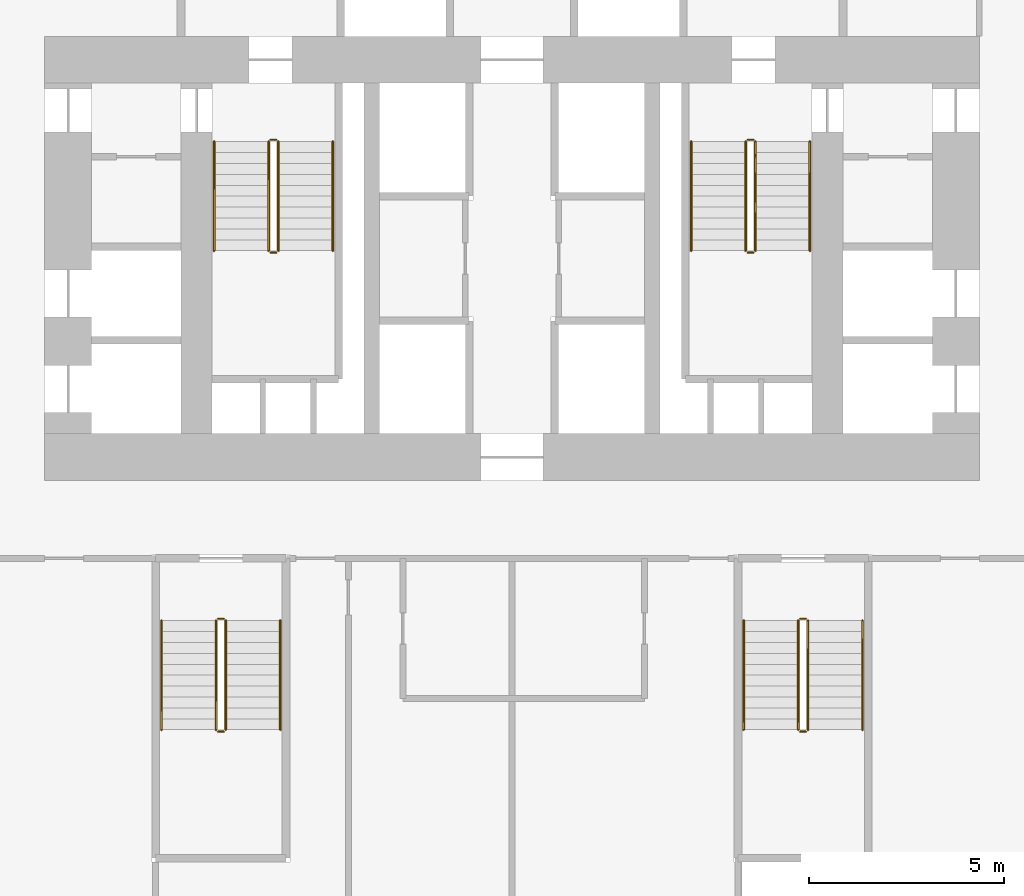
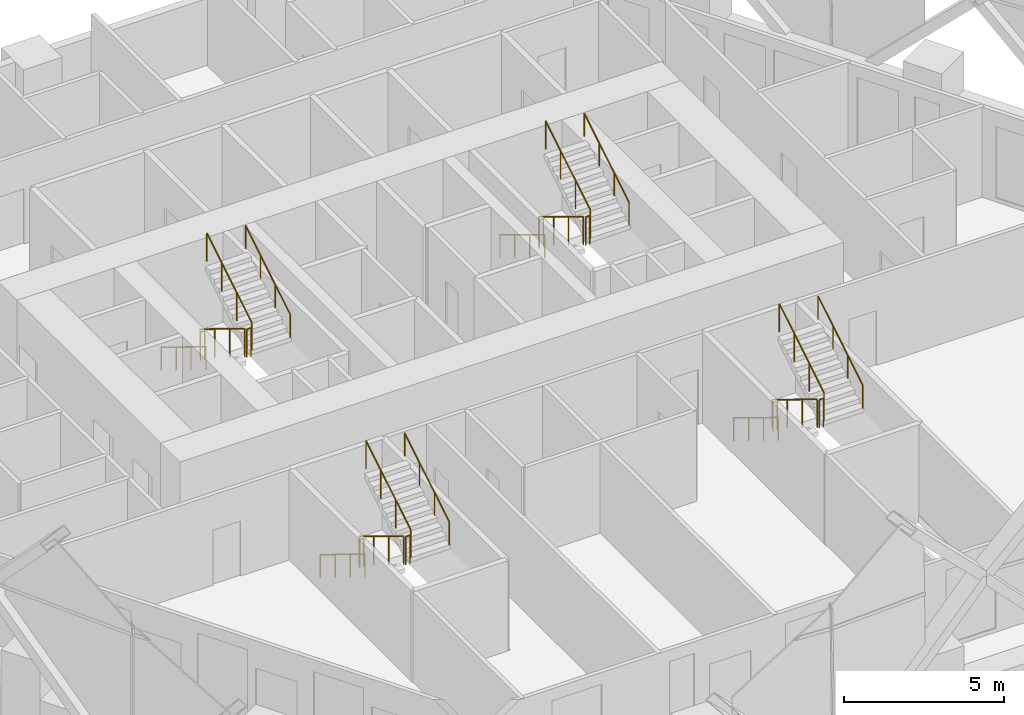
# One storey, part 22 of 22: 24 railings.
"""IFC4 building model written with IfcOpenShell, lengths in metres."""

from ifc_helpers import new_model, si_unit, direction, frame, origin, origin_2d, place, context, subcontext, project, spatial, circle, extrude, material, type_object, element, save


model = new_model("IFC4")

# Units and contexts
model_context = context("Model", 3, precision=1e-05, world=origin(), true_north=direction((0.0, 1.0)))
body_context = subcontext(model_context, "Body", "Model", "MODEL_VIEW")
ifc_project = project(units=[si_unit("LENGTHUNIT", "METRE"), si_unit("AREAUNIT", "SQUARE_METRE"), si_unit("VOLUMEUNIT", "CUBIC_METRE"), si_unit("PLANEANGLEUNIT", "RADIAN"), si_unit("MASSUNIT", "GRAM", prefix="KILO")], contexts=[model_context])

# Site, building, storey
site_placement = place(None, origin())
site = spatial("IfcSite", under=ifc_project, at=site_placement, CompositionType="ELEMENT")
building_placement = place(site_placement, origin())
building = spatial("IfcBuilding", under=site, at=building_placement, Name="Ostrander Bayou Hotel Tower", CompositionType="ELEMENT")
storey_placement = place(building_placement, frame((0.0, 0.0, 46.75)))
storey = spatial("IfcBuildingStorey", under=building, at=storey_placement, Name="L11", CompositionType="ELEMENT", Elevation=46.75)

# Railings
ifc_material_1 = material(Name="Steel ASTM A500 Gr C", Category="steel")
railing_type_1 = type_object("IfcRailingType", Name="GR1 stair guard 1100 mm steel", PredefinedType="GUARDRAIL", material=ifc_material_1)
railing_1_placement = place(storey_placement, frame((-6.25, 7.0, 0.17041015625)))
element("IfcRailing", 1, at=railing_1_placement, inside=storey, type_object=railing_type_1, Name="L11 STA stair guard 1", PredefinedType="GUARDRAIL", context=body_context, shape_type="SweptSolid", body=[
    extrude(circle(Radius=0.02392578125, at=origin_2d()), frame((0.0, 0.0, 1.076171875), z_axis=(0.0, -0.854169791009, 0.51999420009), x_axis=(1.0, 0.0, 0.0)), (0.0, 0.0, 1.0), 3.278076171875),
    extrude(circle(Radius=0.02099609375, at=origin_2d()), origin(), (0.0, 0.0, 1.0), 1.052001953125),
    extrude(circle(Radius=0.02099609375, at=origin_2d()), frame((0.0, -0.933349609375, 0.568115234375)), (0.0, 0.0, 1.0), 1.052001953125),
    extrude(circle(Radius=0.02099609375, at=origin_2d()), frame((0.0, -1.86669921875, 1.136474609375)), (0.0, 0.0, 1.0), 1.052001953125),
    extrude(circle(Radius=0.02099609375, at=origin_2d()), frame((0.0, -2.800048828125, 1.70458984375)), (0.0, 0.0, 1.0), 1.052001953125),
])
railing_2_placement = place(storey_placement, frame((-6.199951171875, 4.14990234375, 1.875)))
element("IfcRailing", 2, at=railing_2_placement, inside=storey, type_object=railing_type_1, Name="L11 STA stair guard 2", PredefinedType="GUARDRAIL", context=body_context, shape_type="SweptSolid", body=[
    extrude(circle(Radius=0.02392578125, at=origin_2d()), frame((0.0, 0.0, 1.076171875), z_axis=(1.0, 0.0, 0.0), x_axis=(0.0, 1.0, 0.0)), (0.0, 0.0, 1.0), 0.14990234375),
    extrude(circle(Radius=0.02099609375, at=origin_2d()), origin(), (0.0, 0.0, 1.0), 1.052001953125),
    extrude(circle(Radius=0.02099609375, at=origin_2d()), frame((0.14990234375, 0.0, 0.0)), (0.0, 0.0, 1.0), 1.052001953125),
])
railing_3_placement = place(storey_placement, frame((-6.0, 4.199951171875, 2.04541015625)))
element("IfcRailing", 3, at=railing_3_placement, inside=storey, type_object=railing_type_1, Name="L11 STA stair guard 3", PredefinedType="GUARDRAIL", context=body_context, shape_type="SweptSolid", body=[
    extrude(circle(Radius=0.02392578125, at=origin_2d()), frame((0.0, 0.0, 1.076171875), z_axis=(0.0, 0.854169791009, 0.51999420009), x_axis=(-1.0, 0.0, 0.0)), (0.0, 0.0, 1.0), 3.278076171875),
    extrude(circle(Radius=0.02099609375, at=origin_2d()), origin(), (0.0, 0.0, 1.0), 1.052001953125),
    extrude(circle(Radius=0.02099609375, at=origin_2d()), frame((0.0, 0.933349609375, 0.568115234375)), (0.0, 0.0, 1.0), 1.052001953125),
    extrude(circle(Radius=0.02099609375, at=origin_2d()), frame((0.0, 1.86669921875, 1.136474609375)), (0.0, 0.0, 1.0), 1.052001953125),
    extrude(circle(Radius=0.02099609375, at=origin_2d()), frame((0.0, 2.800048828125, 1.70458984375)), (0.0, 0.0, 1.0), 1.052001953125),
])
railing_4_placement = place(storey_placement, frame((-6.199951171875, 7.050048828125, 0.0)))
element("IfcRailing", 4, at=railing_4_placement, inside=storey, type_object=railing_type_1, Name="L11 STA stair guard 4", PredefinedType="GUARDRAIL", context=body_context, shape_type="SweptSolid", body=[
    extrude(circle(Radius=0.02392578125, at=origin_2d()), frame((0.0, 0.0, 1.076171875), z_axis=(1.0, 0.0, 0.0), x_axis=(0.0, 1.0, 0.0)), (0.0, 0.0, 1.0), 0.14990234375),
    extrude(circle(Radius=0.02099609375, at=origin_2d()), origin(), (0.0, 0.0, 1.0), 1.052001953125),
    extrude(circle(Radius=0.02099609375, at=origin_2d()), frame((0.14990234375, 0.0, 0.0)), (0.0, 0.0, 1.0), 1.052001953125),
])
railing_5_placement = place(storey_placement, frame((6.0, 7.0, 0.17041015625)))
element("IfcRailing", 5, at=railing_5_placement, inside=storey, type_object=railing_type_1, Name="L11 STB stair guard 1", PredefinedType="GUARDRAIL", context=body_context, shape_type="SweptSolid", body=[
    extrude(circle(Radius=0.02392578125, at=origin_2d()), frame((0.0, 0.0, 1.076171875), z_axis=(0.0, -0.854169791009, 0.51999420009), x_axis=(1.0, 0.0, 0.0)), (0.0, 0.0, 1.0), 3.278076171875),
    extrude(circle(Radius=0.02099609375, at=origin_2d()), origin(), (0.0, 0.0, 1.0), 1.052001953125),
    extrude(circle(Radius=0.02099609375, at=origin_2d()), frame((0.0, -0.933349609375, 0.568115234375)), (0.0, 0.0, 1.0), 1.052001953125),
    extrude(circle(Radius=0.02099609375, at=origin_2d()), frame((0.0, -1.86669921875, 1.136474609375)), (0.0, 0.0, 1.0), 1.052001953125),
    extrude(circle(Radius=0.02099609375, at=origin_2d()), frame((0.0, -2.800048828125, 1.70458984375)), (0.0, 0.0, 1.0), 1.052001953125),
])
railing_6_placement = place(storey_placement, frame((6.050048828125, 4.14990234375, 1.875)))
element("IfcRailing", 6, at=railing_6_placement, inside=storey, type_object=railing_type_1, Name="L11 STB stair guard 2", PredefinedType="GUARDRAIL", context=body_context, shape_type="SweptSolid", body=[
    extrude(circle(Radius=0.02392578125, at=origin_2d()), frame((0.0, 0.0, 1.076171875), z_axis=(1.0, 0.0, 0.0), x_axis=(0.0, 1.0, 0.0)), (0.0, 0.0, 1.0), 0.14990234375),
    extrude(circle(Radius=0.02099609375, at=origin_2d()), origin(), (0.0, 0.0, 1.0), 1.052001953125),
    extrude(circle(Radius=0.02099609375, at=origin_2d()), frame((0.14990234375, 0.0, 0.0)), (0.0, 0.0, 1.0), 1.052001953125),
])
railing_7_placement = place(storey_placement, frame((6.25, 4.199951171875, 2.04541015625)))
element("IfcRailing", 7, at=railing_7_placement, inside=storey, type_object=railing_type_1, Name="L11 STB stair guard 3", PredefinedType="GUARDRAIL", context=body_context, shape_type="SweptSolid", body=[
    extrude(circle(Radius=0.02392578125, at=origin_2d()), frame((0.0, 0.0, 1.076171875), z_axis=(0.0, 0.854169791009, 0.51999420009), x_axis=(-1.0, 0.0, 0.0)), (0.0, 0.0, 1.0), 3.278076171875),
    extrude(circle(Radius=0.02099609375, at=origin_2d()), origin(), (0.0, 0.0, 1.0), 1.052001953125),
    extrude(circle(Radius=0.02099609375, at=origin_2d()), frame((0.0, 0.933349609375, 0.568115234375)), (0.0, 0.0, 1.0), 1.052001953125),
    extrude(circle(Radius=0.02099609375, at=origin_2d()), frame((0.0, 1.86669921875, 1.136474609375)), (0.0, 0.0, 1.0), 1.052001953125),
    extrude(circle(Radius=0.02099609375, at=origin_2d()), frame((0.0, 2.800048828125, 1.70458984375)), (0.0, 0.0, 1.0), 1.052001953125),
])
railing_8_placement = place(storey_placement, frame((6.050048828125, 7.050048828125, 0.0)))
element("IfcRailing", 8, at=railing_8_placement, inside=storey, type_object=railing_type_1, Name="L11 STB stair guard 4", PredefinedType="GUARDRAIL", context=body_context, shape_type="SweptSolid", body=[
    extrude(circle(Radius=0.02392578125, at=origin_2d()), frame((0.0, 0.0, 1.076171875), z_axis=(1.0, 0.0, 0.0), x_axis=(0.0, 1.0, 0.0)), (0.0, 0.0, 1.0), 0.14990234375),
    extrude(circle(Radius=0.02099609375, at=origin_2d()), origin(), (0.0, 0.0, 1.0), 1.052001953125),
    extrude(circle(Radius=0.02099609375, at=origin_2d()), frame((0.14990234375, 0.0, 0.0)), (0.0, 0.0, 1.0), 1.052001953125),
])
railing_9_placement = place(storey_placement, frame((7.35009765625, -5.300048828125, 0.17041015625)))
element("IfcRailing", 9, at=railing_9_placement, inside=storey, type_object=railing_type_1, Name="L11 STC stair guard 1", PredefinedType="GUARDRAIL", context=body_context, shape_type="SweptSolid", body=[
    extrude(circle(Radius=0.02392578125, at=origin_2d()), frame((0.0, 0.0, 1.076171875), z_axis=(0.0, -0.854169791009, 0.51999420009), x_axis=(1.0, 0.0, 0.0)), (0.0, 0.0, 1.0), 3.278076171875),
    extrude(circle(Radius=0.02099609375, at=origin_2d()), origin(), (0.0, 0.0, 1.0), 1.052001953125),
    extrude(circle(Radius=0.02099609375, at=origin_2d()), frame((0.0, -0.933349609375, 0.568115234375)), (0.0, 0.0, 1.0), 1.052001953125),
    extrude(circle(Radius=0.02099609375, at=origin_2d()), frame((0.0, -1.86669921875, 1.136474609375)), (0.0, 0.0, 1.0), 1.052001953125),
    extrude(circle(Radius=0.02099609375, at=origin_2d()), frame((0.0, -2.800048828125, 1.70458984375)), (0.0, 0.0, 1.0), 1.052001953125),
])
railing_10_placement = place(storey_placement, frame((7.39990234375, -8.14990234375, 1.875)))
element("IfcRailing", 10, at=railing_10_placement, inside=storey, type_object=railing_type_1, Name="L11 STC stair guard 2", PredefinedType="GUARDRAIL", context=body_context, shape_type="SweptSolid", body=[
    extrude(circle(Radius=0.02392578125, at=origin_2d()), frame((0.0, 0.0, 1.076171875), z_axis=(1.0, 0.0, 0.0), x_axis=(0.0, 1.0, 0.0)), (0.0, 0.0, 1.0), 0.150146484375),
    extrude(circle(Radius=0.02099609375, at=origin_2d()), origin(), (0.0, 0.0, 1.0), 1.052001953125),
    extrude(circle(Radius=0.02099609375, at=origin_2d()), frame((0.150146484375, 0.0, 0.0)), (0.0, 0.0, 1.0), 1.052001953125),
])
railing_11_placement = place(storey_placement, frame((7.60009765625, -8.10009765625, 2.04541015625)))
element("IfcRailing", 11, at=railing_11_placement, inside=storey, type_object=railing_type_1, Name="L11 STC stair guard 3", PredefinedType="GUARDRAIL", context=body_context, shape_type="SweptSolid", body=[
    extrude(circle(Radius=0.02392578125, at=origin_2d()), frame((0.0, 0.0, 1.076171875), z_axis=(0.0, 0.854169791009, 0.51999420009), x_axis=(-1.0, 0.0, 0.0)), (0.0, 0.0, 1.0), 3.278076171875),
    extrude(circle(Radius=0.02099609375, at=origin_2d()), origin(), (0.0, 0.0, 1.0), 1.052001953125),
    extrude(circle(Radius=0.02099609375, at=origin_2d()), frame((0.0, 0.933349609375, 0.568115234375)), (0.0, 0.0, 1.0), 1.052001953125),
    extrude(circle(Radius=0.02099609375, at=origin_2d()), frame((0.0, 1.86669921875, 1.136474609375)), (0.0, 0.0, 1.0), 1.052001953125),
    extrude(circle(Radius=0.02099609375, at=origin_2d()), frame((0.0, 2.800048828125, 1.70458984375)), (0.0, 0.0, 1.0), 1.052001953125),
])
railing_12_placement = place(storey_placement, frame((7.39990234375, -5.25, 0.0)))
element("IfcRailing", 12, at=railing_12_placement, inside=storey, type_object=railing_type_1, Name="L11 STC stair guard 4", PredefinedType="GUARDRAIL", context=body_context, shape_type="SweptSolid", body=[
    extrude(circle(Radius=0.02392578125, at=origin_2d()), frame((0.0, 0.0, 1.076171875), z_axis=(1.0, 0.0, 0.0), x_axis=(0.0, 1.0, 0.0)), (0.0, 0.0, 1.0), 0.150146484375),
    extrude(circle(Radius=0.02099609375, at=origin_2d()), origin(), (0.0, 0.0, 1.0), 1.052001953125),
    extrude(circle(Radius=0.02099609375, at=origin_2d()), frame((0.150146484375, 0.0, 0.0)), (0.0, 0.0, 1.0), 1.052001953125),
])
railing_13_placement = place(storey_placement, frame((-7.60009765625, -5.300048828125, 0.17041015625)))
element("IfcRailing", 13, at=railing_13_placement, inside=storey, type_object=railing_type_1, Name="L11 STD stair guard 1", PredefinedType="GUARDRAIL", context=body_context, shape_type="SweptSolid", body=[
    extrude(circle(Radius=0.02392578125, at=origin_2d()), frame((0.0, 0.0, 1.076171875), z_axis=(0.0, -0.854169791009, 0.51999420009), x_axis=(1.0, 0.0, 0.0)), (0.0, 0.0, 1.0), 3.278076171875),
    extrude(circle(Radius=0.02099609375, at=origin_2d()), origin(), (0.0, 0.0, 1.0), 1.052001953125),
    extrude(circle(Radius=0.02099609375, at=origin_2d()), frame((0.0, -0.933349609375, 0.568115234375)), (0.0, 0.0, 1.0), 1.052001953125),
    extrude(circle(Radius=0.02099609375, at=origin_2d()), frame((0.0, -1.86669921875, 1.136474609375)), (0.0, 0.0, 1.0), 1.052001953125),
    extrude(circle(Radius=0.02099609375, at=origin_2d()), frame((0.0, -2.800048828125, 1.70458984375)), (0.0, 0.0, 1.0), 1.052001953125),
])
railing_14_placement = place(storey_placement, frame((-7.550048828125, -8.14990234375, 1.875)))
element("IfcRailing", 14, at=railing_14_placement, inside=storey, type_object=railing_type_1, Name="L11 STD stair guard 2", PredefinedType="GUARDRAIL", context=body_context, shape_type="SweptSolid", body=[
    extrude(circle(Radius=0.02392578125, at=origin_2d()), frame((0.0, 0.0, 1.076171875), z_axis=(1.0, 0.0, 0.0), x_axis=(0.0, 1.0, 0.0)), (0.0, 0.0, 1.0), 0.150146484375),
    extrude(circle(Radius=0.02099609375, at=origin_2d()), origin(), (0.0, 0.0, 1.0), 1.052001953125),
    extrude(circle(Radius=0.02099609375, at=origin_2d()), frame((0.150146484375, 0.0, 0.0)), (0.0, 0.0, 1.0), 1.052001953125),
])
railing_15_placement = place(storey_placement, frame((-7.35009765625, -8.10009765625, 2.04541015625)))
element("IfcRailing", 15, at=railing_15_placement, inside=storey, type_object=railing_type_1, Name="L11 STD stair guard 3", PredefinedType="GUARDRAIL", context=body_context, shape_type="SweptSolid", body=[
    extrude(circle(Radius=0.02392578125, at=origin_2d()), frame((0.0, 0.0, 1.076171875), z_axis=(0.0, 0.854169791009, 0.51999420009), x_axis=(-1.0, 0.0, 0.0)), (0.0, 0.0, 1.0), 3.278076171875),
    extrude(circle(Radius=0.02099609375, at=origin_2d()), origin(), (0.0, 0.0, 1.0), 1.052001953125),
    extrude(circle(Radius=0.02099609375, at=origin_2d()), frame((0.0, 0.933349609375, 0.568115234375)), (0.0, 0.0, 1.0), 1.052001953125),
    extrude(circle(Radius=0.02099609375, at=origin_2d()), frame((0.0, 1.86669921875, 1.136474609375)), (0.0, 0.0, 1.0), 1.052001953125),
    extrude(circle(Radius=0.02099609375, at=origin_2d()), frame((0.0, 2.800048828125, 1.70458984375)), (0.0, 0.0, 1.0), 1.052001953125),
])
railing_16_placement = place(storey_placement, frame((-7.550048828125, -5.25, 0.0)))
element("IfcRailing", 16, at=railing_16_placement, inside=storey, type_object=railing_type_1, Name="L11 STD stair guard 4", PredefinedType="GUARDRAIL", context=body_context, shape_type="SweptSolid", body=[
    extrude(circle(Radius=0.02392578125, at=origin_2d()), frame((0.0, 0.0, 1.076171875), z_axis=(1.0, 0.0, 0.0), x_axis=(0.0, 1.0, 0.0)), (0.0, 0.0, 1.0), 0.150146484375),
    extrude(circle(Radius=0.02099609375, at=origin_2d()), origin(), (0.0, 0.0, 1.0), 1.052001953125),
    extrude(circle(Radius=0.02099609375, at=origin_2d()), frame((0.150146484375, 0.0, 0.0)), (0.0, 0.0, 1.0), 1.052001953125),
])
ifc_material_2 = material(Name="Steel ASTM A500 Gr C", Category="steel")
railing_type_2 = type_object("IfcRailingType", Name="HR1 stair handrail 900 mm steel", PredefinedType="HANDRAIL", material=ifc_material_2)
railing_17_placement = place(storey_placement, frame((-7.64990234375, 7.0, 0.17041015625)))
element("IfcRailing", 17, at=railing_17_placement, inside=storey, type_object=railing_type_2, Name="L11 STA stair handrail 1", PredefinedType="HANDRAIL", context=body_context, shape_type="SweptSolid", body=[
    extrude(circle(Radius=0.02392578125, at=origin_2d()), frame((0.0, 0.0, 0.8759765625), z_axis=(0.0, -0.854169791009, 0.51999420009), x_axis=(1.0, 0.0, 0.0)), (0.0, 0.0, 1.0), 3.278076171875),
    extrude(circle(Radius=0.02099609375, at=origin_2d()), origin(), (0.0, 0.0, 1.0), 0.851806640625),
    extrude(circle(Radius=0.02099609375, at=origin_2d()), frame((0.0, -0.933349609375, 0.568115234375)), (0.0, 0.0, 1.0), 0.851806640625),
    extrude(circle(Radius=0.02099609375, at=origin_2d()), frame((0.0, -1.86669921875, 1.136474609375)), (0.0, 0.0, 1.0), 0.851806640625),
    extrude(circle(Radius=0.02099609375, at=origin_2d()), frame((0.0, -2.800048828125, 1.70458984375)), (0.0, 0.0, 1.0), 0.851806640625),
])
railing_18_placement = place(storey_placement, frame((-4.60009765625, 4.199951171875, 2.04541015625)))
element("IfcRailing", 18, at=railing_18_placement, inside=storey, type_object=railing_type_2, Name="L11 STA stair handrail 2", PredefinedType="HANDRAIL", context=body_context, shape_type="SweptSolid", body=[
    extrude(circle(Radius=0.02392578125, at=origin_2d()), frame((0.0, 0.0, 0.8759765625), z_axis=(0.0, 0.854169791009, 0.51999420009), x_axis=(-1.0, 0.0, 0.0)), (0.0, 0.0, 1.0), 3.278076171875),
    extrude(circle(Radius=0.02099609375, at=origin_2d()), origin(), (0.0, 0.0, 1.0), 0.851806640625),
    extrude(circle(Radius=0.02099609375, at=origin_2d()), frame((0.0, 0.933349609375, 0.568115234375)), (0.0, 0.0, 1.0), 0.851806640625),
    extrude(circle(Radius=0.02099609375, at=origin_2d()), frame((0.0, 1.86669921875, 1.136474609375)), (0.0, 0.0, 1.0), 0.851806640625),
    extrude(circle(Radius=0.02099609375, at=origin_2d()), frame((0.0, 2.800048828125, 1.70458984375)), (0.0, 0.0, 1.0), 0.851806640625),
])
railing_19_placement = place(storey_placement, frame((4.60009765625, 7.0, 0.17041015625)))
element("IfcRailing", 19, at=railing_19_placement, inside=storey, type_object=railing_type_2, Name="L11 STB stair handrail 1", PredefinedType="HANDRAIL", context=body_context, shape_type="SweptSolid", body=[
    extrude(circle(Radius=0.02392578125, at=origin_2d()), frame((0.0, 0.0, 0.8759765625), z_axis=(0.0, -0.854169791009, 0.51999420009), x_axis=(1.0, 0.0, 0.0)), (0.0, 0.0, 1.0), 3.278076171875),
    extrude(circle(Radius=0.02099609375, at=origin_2d()), origin(), (0.0, 0.0, 1.0), 0.851806640625),
    extrude(circle(Radius=0.02099609375, at=origin_2d()), frame((0.0, -0.933349609375, 0.568115234375)), (0.0, 0.0, 1.0), 0.851806640625),
    extrude(circle(Radius=0.02099609375, at=origin_2d()), frame((0.0, -1.86669921875, 1.136474609375)), (0.0, 0.0, 1.0), 0.851806640625),
    extrude(circle(Radius=0.02099609375, at=origin_2d()), frame((0.0, -2.800048828125, 1.70458984375)), (0.0, 0.0, 1.0), 0.851806640625),
])
railing_20_placement = place(storey_placement, frame((7.64990234375, 4.199951171875, 2.04541015625)))
element("IfcRailing", 20, at=railing_20_placement, inside=storey, type_object=railing_type_2, Name="L11 STB stair handrail 2", PredefinedType="HANDRAIL", context=body_context, shape_type="SweptSolid", body=[
    extrude(circle(Radius=0.02392578125, at=origin_2d()), frame((0.0, 0.0, 0.8759765625), z_axis=(0.0, 0.854169791009, 0.51999420009), x_axis=(-1.0, 0.0, 0.0)), (0.0, 0.0, 1.0), 3.278076171875),
    extrude(circle(Radius=0.02099609375, at=origin_2d()), origin(), (0.0, 0.0, 1.0), 0.851806640625),
    extrude(circle(Radius=0.02099609375, at=origin_2d()), frame((0.0, 0.933349609375, 0.568115234375)), (0.0, 0.0, 1.0), 0.851806640625),
    extrude(circle(Radius=0.02099609375, at=origin_2d()), frame((0.0, 1.86669921875, 1.136474609375)), (0.0, 0.0, 1.0), 0.851806640625),
    extrude(circle(Radius=0.02099609375, at=origin_2d()), frame((0.0, 2.800048828125, 1.70458984375)), (0.0, 0.0, 1.0), 0.851806640625),
])
railing_21_placement = place(storey_placement, frame((5.949951171875, -5.300048828125, 0.17041015625)))
element("IfcRailing", 21, at=railing_21_placement, inside=storey, type_object=railing_type_2, Name="L11 STC stair handrail 1", PredefinedType="HANDRAIL", context=body_context, shape_type="SweptSolid", body=[
    extrude(circle(Radius=0.02392578125, at=origin_2d()), frame((0.0, 0.0, 0.8759765625), z_axis=(0.0, -0.854169791009, 0.51999420009), x_axis=(1.0, 0.0, 0.0)), (0.0, 0.0, 1.0), 3.278076171875),
    extrude(circle(Radius=0.02099609375, at=origin_2d()), origin(), (0.0, 0.0, 1.0), 0.851806640625),
    extrude(circle(Radius=0.02099609375, at=origin_2d()), frame((0.0, -0.933349609375, 0.568115234375)), (0.0, 0.0, 1.0), 0.851806640625),
    extrude(circle(Radius=0.02099609375, at=origin_2d()), frame((0.0, -1.86669921875, 1.136474609375)), (0.0, 0.0, 1.0), 0.851806640625),
    extrude(circle(Radius=0.02099609375, at=origin_2d()), frame((0.0, -2.800048828125, 1.70458984375)), (0.0, 0.0, 1.0), 0.851806640625),
])
railing_22_placement = place(storey_placement, frame((9.0, -8.10009765625, 2.04541015625)))
element("IfcRailing", 22, at=railing_22_placement, inside=storey, type_object=railing_type_2, Name="L11 STC stair handrail 2", PredefinedType="HANDRAIL", context=body_context, shape_type="SweptSolid", body=[
    extrude(circle(Radius=0.02392578125, at=origin_2d()), frame((0.0, 0.0, 0.8759765625), z_axis=(0.0, 0.854169791009, 0.51999420009), x_axis=(-1.0, 0.0, 0.0)), (0.0, 0.0, 1.0), 3.278076171875),
    extrude(circle(Radius=0.02099609375, at=origin_2d()), origin(), (0.0, 0.0, 1.0), 0.851806640625),
    extrude(circle(Radius=0.02099609375, at=origin_2d()), frame((0.0, 0.933349609375, 0.568115234375)), (0.0, 0.0, 1.0), 0.851806640625),
    extrude(circle(Radius=0.02099609375, at=origin_2d()), frame((0.0, 1.86669921875, 1.136474609375)), (0.0, 0.0, 1.0), 0.851806640625),
    extrude(circle(Radius=0.02099609375, at=origin_2d()), frame((0.0, 2.800048828125, 1.70458984375)), (0.0, 0.0, 1.0), 0.851806640625),
])
railing_23_placement = place(storey_placement, frame((-9.0, -5.300048828125, 0.17041015625)))
element("IfcRailing", 23, at=railing_23_placement, inside=storey, type_object=railing_type_2, Name="L11 STD stair handrail 1", PredefinedType="HANDRAIL", context=body_context, shape_type="SweptSolid", body=[
    extrude(circle(Radius=0.02392578125, at=origin_2d()), frame((0.0, 0.0, 0.8759765625), z_axis=(0.0, -0.854169791009, 0.51999420009), x_axis=(1.0, 0.0, 0.0)), (0.0, 0.0, 1.0), 3.278076171875),
    extrude(circle(Radius=0.02099609375, at=origin_2d()), origin(), (0.0, 0.0, 1.0), 0.851806640625),
    extrude(circle(Radius=0.02099609375, at=origin_2d()), frame((0.0, -0.933349609375, 0.568115234375)), (0.0, 0.0, 1.0), 0.851806640625),
    extrude(circle(Radius=0.02099609375, at=origin_2d()), frame((0.0, -1.86669921875, 1.136474609375)), (0.0, 0.0, 1.0), 0.851806640625),
    extrude(circle(Radius=0.02099609375, at=origin_2d()), frame((0.0, -2.800048828125, 1.70458984375)), (0.0, 0.0, 1.0), 0.851806640625),
])
railing_24_placement = place(storey_placement, frame((-5.949951171875, -8.10009765625, 2.04541015625)))
element("IfcRailing", 24, at=railing_24_placement, inside=storey, type_object=railing_type_2, Name="L11 STD stair handrail 2", PredefinedType="HANDRAIL", context=body_context, shape_type="SweptSolid", body=[
    extrude(circle(Radius=0.02392578125, at=origin_2d()), frame((0.0, 0.0, 0.8759765625), z_axis=(0.0, 0.854169791009, 0.51999420009), x_axis=(-1.0, 0.0, 0.0)), (0.0, 0.0, 1.0), 3.278076171875),
    extrude(circle(Radius=0.02099609375, at=origin_2d()), origin(), (0.0, 0.0, 1.0), 0.851806640625),
    extrude(circle(Radius=0.02099609375, at=origin_2d()), frame((0.0, 0.933349609375, 0.568115234375)), (0.0, 0.0, 1.0), 0.851806640625),
    extrude(circle(Radius=0.02099609375, at=origin_2d()), frame((0.0, 1.86669921875, 1.136474609375)), (0.0, 0.0, 1.0), 0.851806640625),
    extrude(circle(Radius=0.02099609375, at=origin_2d()), frame((0.0, 2.800048828125, 1.70458984375)), (0.0, 0.0, 1.0), 0.851806640625),
])

save(model, "model.ifc")
